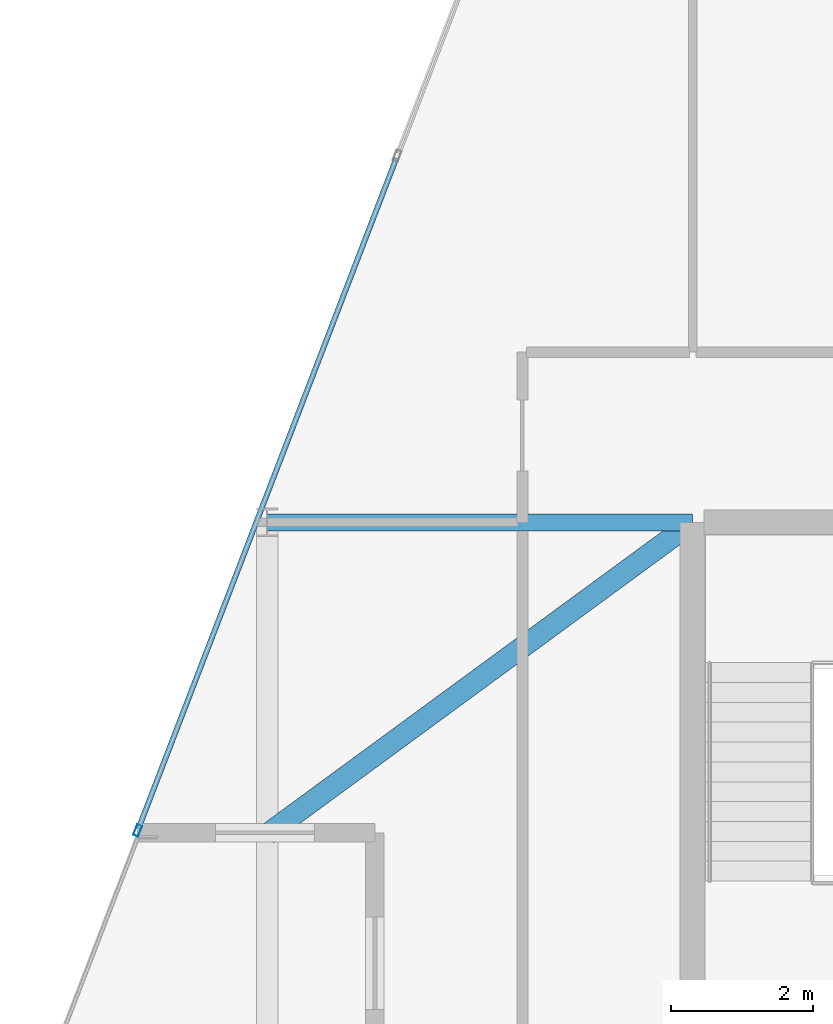
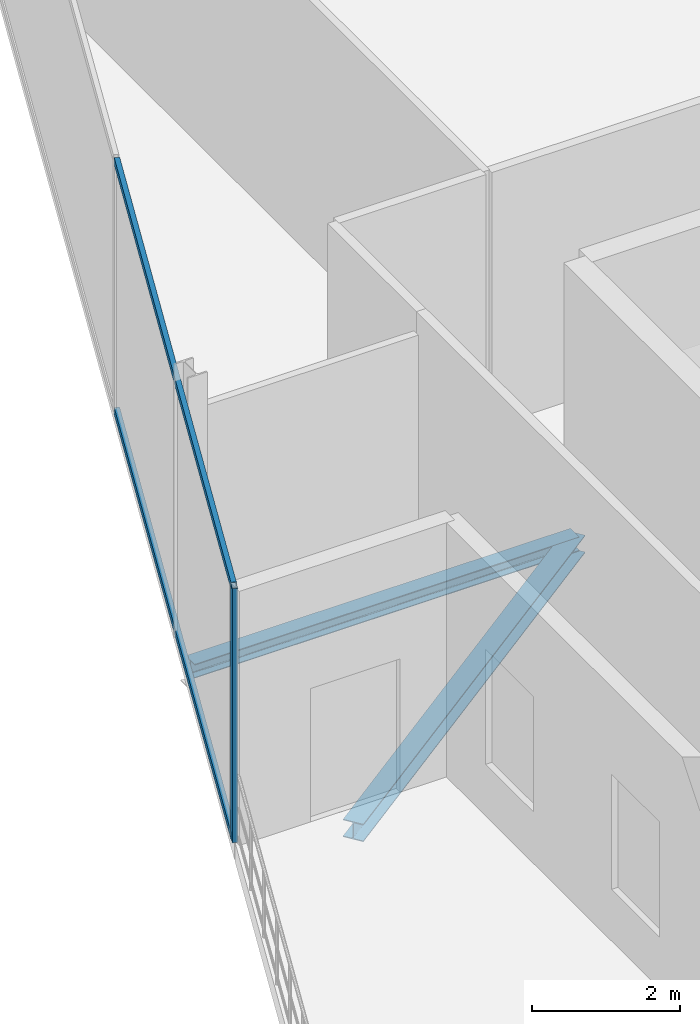
# One storey, part 9 of 24: 3 members, 2 beams, 1 element without a shape of its own.
"""IFC4 building model written with IfcOpenShell, lengths in metres."""

from ifc_helpers import new_model, si_unit, direction, frame, origin, origin_2d, place, context, subcontext, project, spatial, hollow_rectangle, i_section, extrude, material, layer, layer_set, material_profile, profile_set, type_object, element, aggregate, save


model = new_model("IFC4")

# Units and contexts
model_context = context("Model", 3, precision=1e-05, world=origin(), true_north=direction((0.0, 1.0)))
body_context = subcontext(model_context, "Body", "Model", "MODEL_VIEW")
ifc_project = project(units=[si_unit("LENGTHUNIT", "METRE"), si_unit("AREAUNIT", "SQUARE_METRE"), si_unit("VOLUMEUNIT", "CUBIC_METRE"), si_unit("PLANEANGLEUNIT", "RADIAN"), si_unit("MASSUNIT", "GRAM", prefix="KILO")], contexts=[model_context])

# Site, building, storey
site_placement = place(None, origin())
site = spatial("IfcSite", under=ifc_project, at=site_placement, CompositionType="ELEMENT")
building_placement = place(site_placement, origin())
building = spatial("IfcBuilding", under=site, at=building_placement, Name="Keshet Zoharim Tower", CompositionType="ELEMENT")
storey_placement = place(building_placement, frame((0.0, 0.0, 299.10009765625)))
storey = spatial("IfcBuildingStorey", under=building, at=storey_placement, Name="L75", CompositionType="ELEMENT", Elevation=299.10009765625)

# Beams
ifc_material_1 = material(Name="Steel S355", Category="steel")
ifc_material_profile_1 = material_profile(ifc_material_1, i_section(OverallWidth=0.239990234375, OverallDepth=0.22998046875, WebThickness=0.007568359375, FlangeThickness=0.011962890625, FilletRadius=0.02099609375, at=origin_2d()), Name="HEA240")
ifc_profile_set_1 = profile_set([ifc_material_profile_1], Name="Steel S355")
beam_type_1 = type_object("IfcBeamType", Name="BM-LNT-HA240", PredefinedType="LINTEL", material=ifc_profile_set_1)
beam_1_placement = place(storey_placement, frame((9.0, 37.89990234375, -0.43505859375), z_axis=(1.0, 0.0, 0.0), x_axis=(0.0, 1.0, 0.0)))
element("IfcBeam", 1, at=beam_1_placement, inside=storey, type_object=beam_type_1, Name="L75 Primary Girder X-008", PredefinedType="LINTEL", context=body_context, shape_type="SweptSolid", body=[
    extrude(i_section(OverallWidth=0.239990234375, OverallDepth=0.22998046875, WebThickness=0.007568359375, FlangeThickness=0.011962890625, FilletRadius=0.02099609375, at=origin_2d()), origin(), (0.0, 0.0, 1.0), 6.0),
])
ifc_material_profile_2 = material_profile(ifc_material_1, i_section(OverallWidth=0.300048828125, OverallDepth=0.2900390625, WebThickness=0.008544921875, FlangeThickness=0.013916015625, FilletRadius=0.027099609375, at=origin_2d()), Name="HEA300")
ifc_profile_set_2 = profile_set([ifc_material_profile_2], Name="Steel S355")
beam_type_2 = type_object("IfcBeamType", Name="BM-PRI-HA300", PredefinedType="BEAM", material=ifc_profile_set_2)
beam_2_placement = place(storey_placement, frame((9.0, 33.5, -0.465087890625), z_axis=(0.80641125493, 0.591355128432, 0.0), x_axis=(-0.591355128432, 0.80641125493, 0.0)))
element("IfcBeam", 2, at=beam_2_placement, inside=storey, type_object=beam_type_2, Name="L75 Summit Terrace Support Girder 03", PredefinedType="BEAM", context=body_context, shape_type="SweptSolid", body=[
    extrude(i_section(OverallWidth=0.300048828125, OverallDepth=0.2900390625, WebThickness=0.008544921875, FlangeThickness=0.013916015625, FilletRadius=0.027099609375, at=origin_2d()), origin(), (0.0, 0.0, 1.0), 7.4404296875),
])

# Curtain wall, members
ifc_material_2 = material(Name="Aluminium 6063-T6", Category="aluminium")
ifc_layer = layer(ifc_material_2, 0.260009765625)
ifc_layer_set = layer_set([ifc_layer], Name="Aluminium 6063-T6")
curtain_wall_type = type_object("IfcCurtainWallType", Name="CW-SYS-06", PredefinedType="NOTDEFINED", material=ifc_layer_set)
curtain_wall_placement = place(storey_placement, origin())
curtain_wall = element("IfcCurtainWall", 3, at=curtain_wall_placement, inside=storey, type_object=curtain_wall_type, Name="L75 Unitised Curtain Wall 01", PredefinedType="NOTDEFINED")
ifc_material_profile_3 = material_profile(ifc_material_2, hollow_rectangle(XDim=0.074951171875, YDim=0.159912109375, WallThickness=0.00390625, at=origin_2d()), Name="MUL-75x160")
ifc_profile_set_3 = profile_set([ifc_material_profile_3], Name="Aluminium 6063-T6")
member_type_1 = type_object("IfcMemberType", Name="CWM-M15", PredefinedType="MULLION", material=ifc_profile_set_3)
member_1_placement = place(storey_placement, frame((7.173583984375, 33.552734375, 0.0), z_axis=(0.0, 0.0, 1.0), x_axis=(-0.933335529374, 0.359005277968, 0.0)))
member_1 = element("IfcMember", 4, at=member_1_placement, type_object=member_type_1, Name="CW-06 mullion 1", PredefinedType="MULLION", context=body_context, shape_type="SweptSolid", body=[
    extrude(hollow_rectangle(XDim=0.074951171875, YDim=0.159912109375, WallThickness=0.00390625, at=origin_2d()), origin(), (0.0, 0.0, 1.0), 4.18994140625),
])
ifc_material_profile_4 = material_profile(ifc_material_2, hollow_rectangle(XDim=0.074951171875, YDim=0.1201171875, WallThickness=0.00390625, at=origin_2d()), Name="TRN-75x120")
ifc_profile_set_4 = profile_set([ifc_material_profile_4], Name="Aluminium 6063-T6")
member_type_2 = type_object("IfcMemberType", Name="CWT-T12", PredefinedType="USERDEFINED", material=ifc_profile_set_4)
member_2_placement = place(storey_placement, frame((7.18603515625, 33.58544921875, 0.034912109375), z_axis=(0.359024316497, 0.933328206026, 0.0), x_axis=(-0.933328206026, 0.359024316497, 0.0)))
member_2 = element("IfcMember", 5, at=member_2_placement, type_object=member_type_2, Name="CW-06 transom 1.1", ObjectType="TRANSOM", PredefinedType="USERDEFINED", context=body_context, shape_type="SweptSolid", body=[
    extrude(hollow_rectangle(XDim=0.074951171875, YDim=0.1201171875, WallThickness=0.00390625, at=origin_2d()), origin(), (0.0, 0.0, 1.0), 10.1259765625),
])
member_3_placement = place(storey_placement, frame((7.18603515625, 33.58544921875, 4.15478515625), z_axis=(0.359024316497, 0.933328206026, 0.0), x_axis=(-0.933328206026, 0.359024316497, 0.0)))
member_3 = element("IfcMember", 6, at=member_3_placement, type_object=member_type_2, Name="CW-06 transom 1.2", ObjectType="TRANSOM", PredefinedType="USERDEFINED", context=body_context, shape_type="SweptSolid", body=[
    extrude(hollow_rectangle(XDim=0.074951171875, YDim=0.1201171875, WallThickness=0.00390625, at=origin_2d()), origin(), (0.0, 0.0, 1.0), 10.1259765625),
])
aggregate(curtain_wall, [member_1, member_2, member_3])

save(model, "model.ifc")
